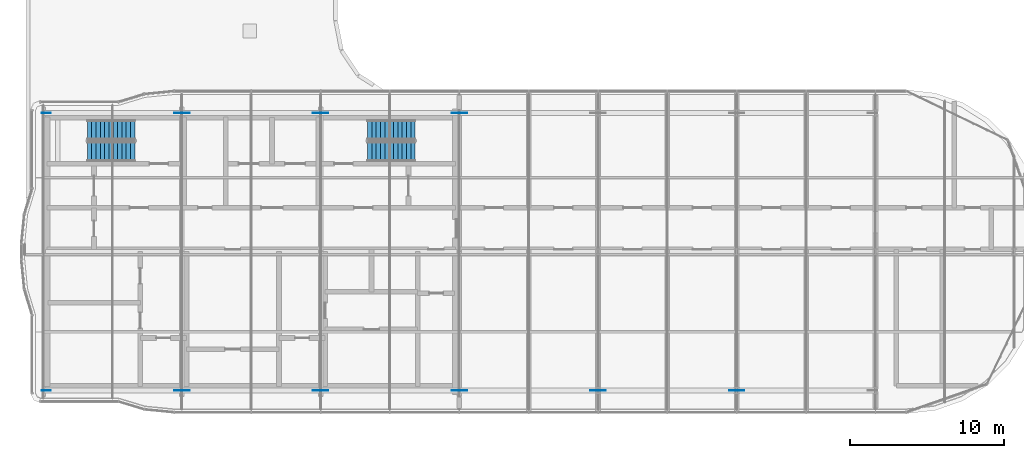
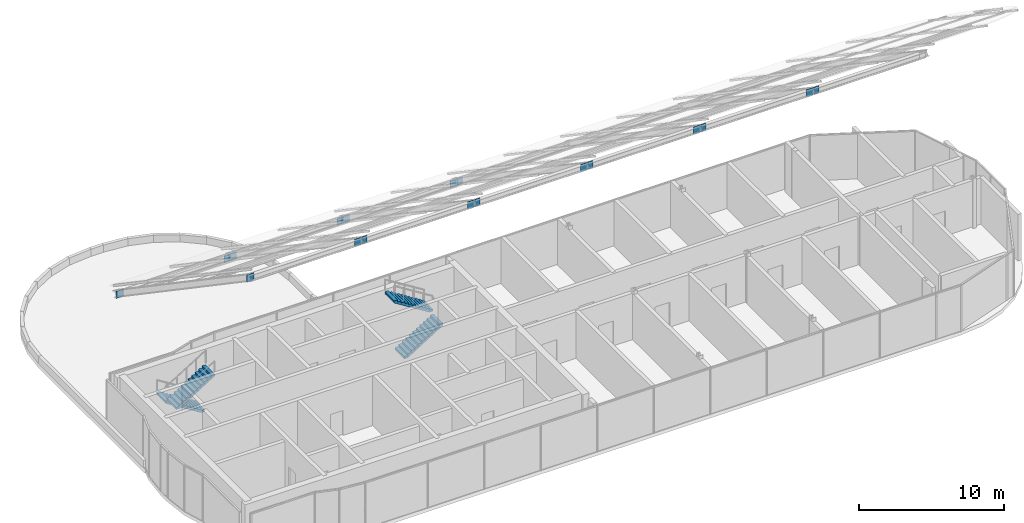
# One storey, part 23 of 25: 18 discrete accessories, 4 stair flights, 2 elements without a shape of their own.
"""IFC4 building model written with IfcOpenShell, lengths in metres."""

from ifc_helpers import new_model, si_unit, direction, frame, origin, origin_2d, place, context, subcontext, project, spatial, rectangle, extrude, triangles, source, transform, mapped, material, layer, layer_set, type_object, element, aggregate, save


model = new_model("IFC4")

# Units and contexts
model_context = context("Model", 3, precision=1e-05, world=origin(), true_north=direction((0.0, 1.0)))
body_context = subcontext(model_context, "Body", "Model", "MODEL_VIEW")
ifc_project = project(units=[si_unit("LENGTHUNIT", "METRE"), si_unit("AREAUNIT", "SQUARE_METRE"), si_unit("VOLUMEUNIT", "CUBIC_METRE"), si_unit("PLANEANGLEUNIT", "RADIAN"), si_unit("MASSUNIT", "GRAM", prefix="KILO")], contexts=[model_context])

# Site, building, storey
site_placement = place(None, origin())
site = spatial("IfcSite", under=ifc_project, at=site_placement, CompositionType="ELEMENT")
building_placement = place(site_placement, origin())
building = spatial("IfcBuilding", under=site, at=building_placement, Name="Ogive Portal Towers", CompositionType="ELEMENT")
storey_placement = place(building_placement, frame((0.0, 0.0, 272.89990234375)))
storey = spatial("IfcBuildingStorey", under=building, at=storey_placement, Name="L66", CompositionType="ELEMENT", Elevation=272.89990234375)

# Stair, stair flights
ifc_material_1 = material(Name="Concrete C40/50", Category="concrete")
stair_type = type_object("IfcStairType", Name="INT-STAIR", PredefinedType="HALF_TURN_STAIR", material=ifc_material_1)
stair_1_placement = place(storey_placement, origin())
stair_1 = element("IfcStair", 1, at=stair_1_placement, inside=storey, type_object=stair_type, Name="L66 Exit Stair ST-A1", PredefinedType="HALF_TURN_STAIR")
stair_flight_type = type_object("IfcStairFlightType", Name="INT-FLIGHT", PredefinedType="STRAIGHT", material=ifc_material_1)
shared_shape = source(origin(), body_context, "Body", "Tessellation", [
    triangles([(0.0, -0.650146484375, 0.0), (0.0, -0.376220703125, 0.0), (0.0, -0.192626953125, 0.0), (0.0, -0.081298828125, 0.0), (0.0, -0.024169921875, 0.0), (0.0, -0.003173828125, 0.0), (0.0, 0.0, 0.0), (0.0, 0.0029296875, 0.0), (0.0, 0.02392578125, 0.0), (0.0, 0.0810546875, 0.0), (0.0, 0.1923828125, 0.0), (0.0, 0.3759765625, 0.0), (0.0, 0.64990234375, 0.0), (0.0, -0.650146484375, 0.175048828125), (0.0, -0.376220703125, 0.175048828125), (0.0, -0.192626953125, 0.175048828125), (0.0, -0.081298828125, 0.175048828125), (0.0, -0.024169921875, 0.175048828125), (0.0, -0.003173828125, 0.175048828125), (0.0, 0.0, 0.175048828125), (0.0, 0.0029296875, 0.175048828125), (0.0, 0.02392578125, 0.175048828125), (0.0, 0.0810546875, 0.175048828125), (0.0, 0.1923828125, 0.175048828125), (0.0, 0.3759765625, 0.175048828125), (0.0, 0.64990234375, 0.175048828125), (0.280029296875, -0.650146484375, 0.175048828125), (0.280029296875, -0.376220703125, 0.175048828125), (0.280029296875, -0.192626953125, 0.175048828125), (0.280029296875, -0.081298828125, 0.175048828125), (0.280029296875, -0.024169921875, 0.175048828125), (0.280029296875, -0.003173828125, 0.175048828125), (0.280029296875, 0.0, 0.175048828125), (0.280029296875, 0.0029296875, 0.175048828125), (0.280029296875, 0.02392578125, 0.175048828125), (0.280029296875, 0.0810546875, 0.175048828125), (0.280029296875, 0.1923828125, 0.175048828125), (0.280029296875, 0.3759765625, 0.175048828125), (0.280029296875, 0.64990234375, 0.175048828125), (0.280029296875, -0.650146484375, 0.35009765625), (0.280029296875, -0.376220703125, 0.35009765625), (0.280029296875, -0.192626953125, 0.35009765625), (0.280029296875, -0.081298828125, 0.35009765625), (0.280029296875, -0.024169921875, 0.35009765625), (0.280029296875, -0.003173828125, 0.35009765625), (0.280029296875, 0.0, 0.35009765625), (0.280029296875, 0.0029296875, 0.35009765625), (0.280029296875, 0.02392578125, 0.35009765625), (0.280029296875, 0.0810546875, 0.35009765625), (0.280029296875, 0.1923828125, 0.35009765625), (0.280029296875, 0.3759765625, 0.35009765625), (0.280029296875, 0.64990234375, 0.35009765625), (0.56005859375, -0.650146484375, 0.35009765625), (0.56005859375, -0.376220703125, 0.35009765625), (0.56005859375, -0.192626953125, 0.35009765625), (0.56005859375, -0.081298828125, 0.35009765625), (0.56005859375, -0.024169921875, 0.35009765625), (0.56005859375, -0.003173828125, 0.35009765625), (0.56005859375, 0.0, 0.35009765625), (0.56005859375, 0.0029296875, 0.35009765625), (0.56005859375, 0.02392578125, 0.35009765625), (0.56005859375, 0.0810546875, 0.35009765625), (0.56005859375, 0.1923828125, 0.35009765625), (0.56005859375, 0.3759765625, 0.35009765625), (0.56005859375, 0.64990234375, 0.35009765625), (0.56005859375, -0.650146484375, 0.52490234375), (0.56005859375, -0.376220703125, 0.52490234375), (0.56005859375, -0.192626953125, 0.52490234375), (0.56005859375, -0.081298828125, 0.52490234375), (0.56005859375, -0.024169921875, 0.52490234375), (0.56005859375, -0.003173828125, 0.52490234375), (0.56005859375, 0.0, 0.52490234375), (0.56005859375, 0.0029296875, 0.52490234375), (0.56005859375, 0.02392578125, 0.52490234375), (0.56005859375, 0.0810546875, 0.52490234375), (0.56005859375, 0.1923828125, 0.52490234375), (0.56005859375, 0.3759765625, 0.52490234375), (0.56005859375, 0.64990234375, 0.52490234375), (0.840087890625, -0.650146484375, 0.52490234375), (0.840087890625, -0.376220703125, 0.52490234375), (0.840087890625, -0.192626953125, 0.52490234375), (0.840087890625, -0.081298828125, 0.52490234375), (0.840087890625, -0.024169921875, 0.52490234375), (0.840087890625, -0.003173828125, 0.52490234375), (0.840087890625, 0.0, 0.52490234375), (0.840087890625, 0.0029296875, 0.52490234375), (0.840087890625, 0.02392578125, 0.52490234375), (0.840087890625, 0.0810546875, 0.52490234375), (0.840087890625, 0.1923828125, 0.52490234375), (0.840087890625, 0.3759765625, 0.52490234375), (0.840087890625, 0.64990234375, 0.52490234375), (0.840087890625, -0.650146484375, 0.699951171875), (0.840087890625, -0.376220703125, 0.699951171875), (0.840087890625, -0.192626953125, 0.699951171875), (0.840087890625, -0.081298828125, 0.699951171875), (0.840087890625, -0.024169921875, 0.699951171875), (0.840087890625, -0.003173828125, 0.699951171875), (0.840087890625, 0.0, 0.699951171875), (0.840087890625, 0.0029296875, 0.699951171875), (0.840087890625, 0.02392578125, 0.699951171875), (0.840087890625, 0.0810546875, 0.699951171875), (0.840087890625, 0.1923828125, 0.699951171875), (0.840087890625, 0.3759765625, 0.699951171875), (0.840087890625, 0.64990234375, 0.699951171875), (1.1201171875, -0.650146484375, 0.699951171875), (1.1201171875, -0.376220703125, 0.699951171875), (1.1201171875, -0.192626953125, 0.699951171875), (1.1201171875, -0.081298828125, 0.699951171875), (1.1201171875, -0.024169921875, 0.699951171875), (1.1201171875, -0.003173828125, 0.699951171875), (1.1201171875, 0.0, 0.699951171875), (1.1201171875, 0.0029296875, 0.699951171875), (1.1201171875, 0.02392578125, 0.699951171875), (1.1201171875, 0.0810546875, 0.699951171875), (1.1201171875, 0.1923828125, 0.699951171875), (1.1201171875, 0.3759765625, 0.699951171875), (1.1201171875, 0.64990234375, 0.699951171875), (1.1201171875, -0.650146484375, 0.875), (1.1201171875, -0.376220703125, 0.875), (1.1201171875, -0.192626953125, 0.875), (1.1201171875, -0.081298828125, 0.875), (1.1201171875, -0.024169921875, 0.875), (1.1201171875, -0.003173828125, 0.875), (1.1201171875, 0.0, 0.875), (1.1201171875, 0.0029296875, 0.875), (1.1201171875, 0.02392578125, 0.875), (1.1201171875, 0.0810546875, 0.875), (1.1201171875, 0.1923828125, 0.875), (1.1201171875, 0.3759765625, 0.875), (1.1201171875, 0.64990234375, 0.875), (1.39990234375, -0.650146484375, 0.875), (1.39990234375, -0.376220703125, 0.875), (1.39990234375, -0.192626953125, 0.875), (1.39990234375, -0.081298828125, 0.875), (1.39990234375, -0.024169921875, 0.875), (1.39990234375, -0.003173828125, 0.875), (1.39990234375, 0.0, 0.875), (1.39990234375, 0.0029296875, 0.875), (1.39990234375, 0.02392578125, 0.875), (1.39990234375, 0.0810546875, 0.875), (1.39990234375, 0.1923828125, 0.875), (1.39990234375, 0.3759765625, 0.875), (1.39990234375, 0.64990234375, 0.875), (1.39990234375, -0.650146484375, 1.050048828125), (1.39990234375, -0.376220703125, 1.050048828125), (1.39990234375, -0.192626953125, 1.050048828125), (1.39990234375, -0.081298828125, 1.050048828125), (1.39990234375, -0.024169921875, 1.050048828125), (1.39990234375, -0.003173828125, 1.050048828125), (1.39990234375, 0.0, 1.050048828125), (1.39990234375, 0.0029296875, 1.050048828125), (1.39990234375, 0.02392578125, 1.050048828125), (1.39990234375, 0.0810546875, 1.050048828125), (1.39990234375, 0.1923828125, 1.050048828125), (1.39990234375, 0.3759765625, 1.050048828125), (1.39990234375, 0.64990234375, 1.050048828125), (1.679931640625, -0.650146484375, 1.050048828125), (1.679931640625, -0.376220703125, 1.050048828125), (1.679931640625, -0.192626953125, 1.050048828125), (1.679931640625, -0.081298828125, 1.050048828125), (1.679931640625, -0.024169921875, 1.050048828125), (1.679931640625, -0.003173828125, 1.050048828125), (1.679931640625, 0.0, 1.050048828125), (1.679931640625, 0.0029296875, 1.050048828125), (1.679931640625, 0.02392578125, 1.050048828125), (1.679931640625, 0.0810546875, 1.050048828125), (1.679931640625, 0.1923828125, 1.050048828125), (1.679931640625, 0.3759765625, 1.050048828125), (1.679931640625, 0.64990234375, 1.050048828125), (1.679931640625, -0.650146484375, 1.22509765625), (1.679931640625, -0.376220703125, 1.22509765625), (1.679931640625, -0.192626953125, 1.22509765625), (1.679931640625, -0.081298828125, 1.22509765625), (1.679931640625, -0.024169921875, 1.22509765625), (1.679931640625, -0.003173828125, 1.22509765625), (1.679931640625, 0.0, 1.22509765625), (1.679931640625, 0.0029296875, 1.22509765625), (1.679931640625, 0.02392578125, 1.22509765625), (1.679931640625, 0.0810546875, 1.22509765625), (1.679931640625, 0.1923828125, 1.22509765625), (1.679931640625, 0.3759765625, 1.22509765625), (1.679931640625, 0.64990234375, 1.22509765625), (1.9599609375, -0.650146484375, 1.22509765625), (1.9599609375, -0.376220703125, 1.22509765625), (1.9599609375, -0.192626953125, 1.22509765625), (1.9599609375, -0.081298828125, 1.22509765625), (1.9599609375, -0.024169921875, 1.22509765625), (1.9599609375, -0.003173828125, 1.22509765625), (1.9599609375, 0.0, 1.22509765625), (1.9599609375, 0.0029296875, 1.22509765625), (1.9599609375, 0.02392578125, 1.22509765625), (1.9599609375, 0.0810546875, 1.22509765625), (1.9599609375, 0.1923828125, 1.22509765625), (1.9599609375, 0.3759765625, 1.22509765625), (1.9599609375, 0.64990234375, 1.22509765625), (1.9599609375, -0.650146484375, 1.39990234375), (1.9599609375, -0.376220703125, 1.39990234375), (1.9599609375, -0.192626953125, 1.39990234375), (1.9599609375, -0.081298828125, 1.39990234375), (1.9599609375, -0.024169921875, 1.39990234375), (1.9599609375, -0.003173828125, 1.39990234375), (1.9599609375, 0.0, 1.39990234375), (1.9599609375, 0.0029296875, 1.39990234375), (1.9599609375, 0.02392578125, 1.39990234375), (1.9599609375, 0.0810546875, 1.39990234375), (1.9599609375, 0.1923828125, 1.39990234375), (1.9599609375, 0.3759765625, 1.39990234375), (1.9599609375, 0.64990234375, 1.39990234375), (2.239990234375, -0.650146484375, 1.39990234375), (2.239990234375, -0.376220703125, 1.39990234375), (2.239990234375, -0.192626953125, 1.39990234375), (2.239990234375, -0.081298828125, 1.39990234375), (2.239990234375, -0.024169921875, 1.39990234375), (2.239990234375, -0.003173828125, 1.39990234375), (2.239990234375, 0.0, 1.39990234375), (2.239990234375, 0.0029296875, 1.39990234375), (2.239990234375, 0.02392578125, 1.39990234375), (2.239990234375, 0.0810546875, 1.39990234375), (2.239990234375, 0.1923828125, 1.39990234375), (2.239990234375, 0.3759765625, 1.39990234375), (2.239990234375, 0.64990234375, 1.39990234375), (2.239990234375, -0.650146484375, 1.574951171875), (2.239990234375, -0.376220703125, 1.574951171875), (2.239990234375, -0.192626953125, 1.574951171875), (2.239990234375, -0.081298828125, 1.574951171875), (2.239990234375, -0.024169921875, 1.574951171875), (2.239990234375, -0.003173828125, 1.574951171875), (2.239990234375, 0.0, 1.574951171875), (2.239990234375, 0.0029296875, 1.574951171875), (2.239990234375, 0.02392578125, 1.574951171875), (2.239990234375, 0.0810546875, 1.574951171875), (2.239990234375, 0.1923828125, 1.574951171875), (2.239990234375, 0.3759765625, 1.574951171875), (2.239990234375, 0.64990234375, 1.574951171875), (2.52001953125, -0.650146484375, 1.574951171875), (2.52001953125, -0.376220703125, 1.574951171875), (2.52001953125, -0.192626953125, 1.574951171875), (2.52001953125, -0.081298828125, 1.574951171875), (2.52001953125, -0.024169921875, 1.574951171875), (2.52001953125, -0.003173828125, 1.574951171875), (2.52001953125, 0.0, 1.574951171875), (2.52001953125, 0.0029296875, 1.574951171875), (2.52001953125, 0.02392578125, 1.574951171875), (2.52001953125, 0.0810546875, 1.574951171875), (2.52001953125, 0.1923828125, 1.574951171875), (2.52001953125, 0.3759765625, 1.574951171875), (2.52001953125, 0.64990234375, 1.574951171875), (2.52001953125, -0.650146484375, 1.75), (2.52001953125, -0.376220703125, 1.75), (2.52001953125, -0.192626953125, 1.75), (2.52001953125, -0.081298828125, 1.75), (2.52001953125, -0.024169921875, 1.75), (2.52001953125, -0.003173828125, 1.75), (2.52001953125, 0.0, 1.75), (2.52001953125, 0.0029296875, 1.75), (2.52001953125, 0.02392578125, 1.75), (2.52001953125, 0.0810546875, 1.75), (2.52001953125, 0.1923828125, 1.75), (2.52001953125, 0.3759765625, 1.75), (2.52001953125, 0.64990234375, 1.75), (2.800048828125, -0.650146484375, 1.75), (2.800048828125, -0.376220703125, 1.75), (2.800048828125, -0.192626953125, 1.75), (2.800048828125, -0.081298828125, 1.75), (2.800048828125, -0.024169921875, 1.75), (2.800048828125, -0.003173828125, 1.75), (2.800048828125, 0.0, 1.75), (2.800048828125, 0.0029296875, 1.75), (2.800048828125, 0.02392578125, 1.75), (2.800048828125, 0.0810546875, 1.75), (2.800048828125, 0.1923828125, 1.75), (2.800048828125, 0.3759765625, 1.75), (2.800048828125, 0.64990234375, 1.75), (2.800048828125, -0.650146484375, 1.925048828125), (2.800048828125, -0.376220703125, 1.925048828125), (2.800048828125, -0.192626953125, 1.925048828125), (2.800048828125, -0.081298828125, 1.925048828125), (2.800048828125, -0.024169921875, 1.925048828125), (2.800048828125, -0.003173828125, 1.925048828125), (2.800048828125, 0.0, 1.925048828125), (2.800048828125, 0.0029296875, 1.925048828125), (2.800048828125, 0.02392578125, 1.925048828125), (2.800048828125, 0.0810546875, 1.925048828125), (2.800048828125, 0.1923828125, 1.925048828125), (2.800048828125, 0.3759765625, 1.925048828125), (2.800048828125, 0.64990234375, 1.925048828125), (3.080078125, -0.650146484375, 1.925048828125), (3.080078125, -0.376220703125, 1.925048828125), (3.080078125, -0.192626953125, 1.925048828125), (3.080078125, -0.081298828125, 1.925048828125), (3.080078125, -0.024169921875, 1.925048828125), (3.080078125, -0.003173828125, 1.925048828125), (3.080078125, 0.0, 1.925048828125), (3.080078125, 0.0029296875, 1.925048828125), (3.080078125, 0.02392578125, 1.925048828125), (3.080078125, 0.0810546875, 1.925048828125), (3.080078125, 0.1923828125, 1.925048828125), (3.080078125, 0.3759765625, 1.925048828125), (3.080078125, 0.64990234375, 1.925048828125), (3.080078125, -0.650146484375, 1.748291015625), (3.080078125, -0.376220703125, 1.748291015625), (3.080078125, -0.192626953125, 1.748291015625), (3.080078125, -0.081298828125, 1.748291015625), (3.080078125, -0.024169921875, 1.748291015625), (3.080078125, -0.003173828125, 1.748291015625), (3.080078125, 0.0, 1.748291015625), (3.080078125, 0.0029296875, 1.748291015625), (3.080078125, 0.02392578125, 1.748291015625), (3.080078125, 0.0810546875, 1.748291015625), (3.080078125, 0.1923828125, 1.748291015625), (3.080078125, 0.3759765625, 1.748291015625), (3.080078125, 0.64990234375, 1.748291015625), (0.28271484375, -0.650146484375, 0.0), (0.28271484375, -0.376220703125, 0.0), (0.28271484375, -0.192626953125, 0.0), (0.28271484375, -0.081298828125, 0.0), (0.28271484375, -0.024169921875, 0.0), (0.28271484375, -0.003173828125, 0.0), (0.28271484375, 0.0, 0.0), (0.28271484375, 0.0029296875, 0.0), (0.28271484375, 0.02392578125, 0.0), (0.28271484375, 0.0810546875, 0.0), (0.28271484375, 0.1923828125, 0.0), (0.28271484375, 0.3759765625, 0.0), (0.28271484375, 0.64990234375, 0.0)], [[1, 14, 15], [1, 15, 2], [2, 15, 16], [2, 16, 3], [3, 16, 17], [3, 17, 4], [4, 17, 18], [4, 18, 5], [5, 18, 19], [5, 19, 6], [6, 19, 20], [6, 20, 7], [7, 20, 21], [7, 21, 8], [8, 21, 22], [8, 22, 9], [9, 22, 23], [9, 23, 10], [10, 23, 24], [10, 24, 11], [11, 24, 25], [11, 25, 12], [12, 25, 26], [12, 26, 13], [14, 27, 28], [14, 28, 15], [15, 28, 29], [15, 29, 16], [16, 29, 30], [16, 30, 17], [17, 30, 31], [17, 31, 18], [18, 31, 32], [18, 32, 19], [19, 32, 33], [19, 33, 20], [20, 33, 34], [20, 34, 21], [21, 34, 35], [21, 35, 22], [22, 35, 36], [22, 36, 23], [23, 36, 37], [23, 37, 24], [24, 37, 38], [24, 38, 25], [25, 38, 39], [25, 39, 26], [27, 40, 41], [27, 41, 28], [28, 41, 42], [28, 42, 29], [29, 42, 43], [29, 43, 30], [30, 43, 44], [30, 44, 31], [31, 44, 45], [31, 45, 32], [32, 45, 46], [32, 46, 33], [33, 46, 47], [33, 47, 34], [34, 47, 48], [34, 48, 35], [35, 48, 49], [35, 49, 36], [36, 49, 50], [36, 50, 37], [37, 50, 51], [37, 51, 38], [38, 51, 52], [38, 52, 39], [40, 53, 54], [40, 54, 41], [41, 54, 55], [41, 55, 42], [42, 55, 56], [42, 56, 43], [43, 56, 57], [43, 57, 44], [44, 57, 58], [44, 58, 45], [45, 58, 59], [45, 59, 46], [46, 59, 60], [46, 60, 47], [47, 60, 61], [47, 61, 48], [48, 61, 62], [48, 62, 49], [49, 62, 63], [49, 63, 50], [50, 63, 64], [50, 64, 51], [51, 64, 65], [51, 65, 52], [53, 66, 67], [53, 67, 54], [54, 67, 68], [54, 68, 55], [55, 68, 69], [55, 69, 56], [56, 69, 70], [56, 70, 57], [57, 70, 71], [57, 71, 58], [58, 71, 72], [58, 72, 59], [59, 72, 73], [59, 73, 60], [60, 73, 74], [60, 74, 61], [61, 74, 75], [61, 75, 62], [62, 75, 76], [62, 76, 63], [63, 76, 77], [63, 77, 64], [64, 77, 78], [64, 78, 65], [66, 79, 80], [66, 80, 67], [67, 80, 81], [67, 81, 68], [68, 81, 82], [68, 82, 69], [69, 82, 83], [69, 83, 70], [70, 83, 84], [70, 84, 71], [71, 84, 85], [71, 85, 72], [72, 85, 86], [72, 86, 73], [73, 86, 87], [73, 87, 74], [74, 87, 88], [74, 88, 75], [75, 88, 89], [75, 89, 76], [76, 89, 90], [76, 90, 77], [77, 90, 91], [77, 91, 78], [79, 92, 93], [79, 93, 80], [80, 93, 94], [80, 94, 81], [81, 94, 95], [81, 95, 82], [82, 95, 96], [82, 96, 83], [83, 96, 97], [83, 97, 84], [84, 97, 98], [84, 98, 85], [85, 98, 99], [85, 99, 86], [86, 99, 100], [86, 100, 87], [87, 100, 101], [87, 101, 88], [88, 101, 102], [88, 102, 89], [89, 102, 103], [89, 103, 90], [90, 103, 104], [90, 104, 91], [92, 105, 106], [92, 106, 93], [93, 106, 107], [93, 107, 94], [94, 107, 108], [94, 108, 95], [95, 108, 109], [95, 109, 96], [96, 109, 110], [96, 110, 97], [97, 110, 111], [97, 111, 98], [98, 111, 112], [98, 112, 99], [99, 112, 113], [99, 113, 100], [100, 113, 114], [100, 114, 101], [101, 114, 115], [101, 115, 102], [102, 115, 116], [102, 116, 103], [103, 116, 117], [103, 117, 104], [105, 118, 119], [105, 119, 106], [106, 119, 120], [106, 120, 107], [107, 120, 121], [107, 121, 108], [108, 121, 122], [108, 122, 109], [109, 122, 123], [109, 123, 110], [110, 123, 124], [110, 124, 111], [111, 124, 125], [111, 125, 112], [112, 125, 126], [112, 126, 113], [113, 126, 127], [113, 127, 114], [114, 127, 128], [114, 128, 115], [115, 128, 129], [115, 129, 116], [116, 129, 130], [116, 130, 117], [118, 131, 132], [118, 132, 119], [119, 132, 133], [119, 133, 120], [120, 133, 134], [120, 134, 121], [121, 134, 135], [121, 135, 122], [122, 135, 136], [122, 136, 123], [123, 136, 137], [123, 137, 124], [124, 137, 138], [124, 138, 125], [125, 138, 139], [125, 139, 126], [126, 139, 140], [126, 140, 127], [127, 140, 141], [127, 141, 128], [128, 141, 142], [128, 142, 129], [129, 142, 143], [129, 143, 130], [131, 144, 145], [131, 145, 132], [132, 145, 146], [132, 146, 133], [133, 146, 147], [133, 147, 134], [134, 147, 148], [134, 148, 135], [135, 148, 149], [135, 149, 136], [136, 149, 150], [136, 150, 137], [137, 150, 151], [137, 151, 138], [138, 151, 152], [138, 152, 139], [139, 152, 153], [139, 153, 140], [140, 153, 154], [140, 154, 141], [141, 154, 155], [141, 155, 142], [142, 155, 156], [142, 156, 143], [144, 157, 158], [144, 158, 145], [145, 158, 159], [145, 159, 146], [146, 159, 160], [146, 160, 147], [147, 160, 161], [147, 161, 148], [148, 161, 162], [148, 162, 149], [149, 162, 163], [149, 163, 150], [150, 163, 164], [150, 164, 151], [151, 164, 165], [151, 165, 152], [152, 165, 166], [152, 166, 153], [153, 166, 167], [153, 167, 154], [154, 167, 168], [154, 168, 155], [155, 168, 169], [155, 169, 156], [157, 170, 171], [157, 171, 158], [158, 171, 172], [158, 172, 159], [159, 172, 173], [159, 173, 160], [160, 173, 174], [160, 174, 161], [161, 174, 175], [161, 175, 162], [162, 175, 176], [162, 176, 163], [163, 176, 177], [163, 177, 164], [164, 177, 178], [164, 178, 165], [165, 178, 179], [165, 179, 166], [166, 179, 180], [166, 180, 167], [167, 180, 181], [167, 181, 168], [168, 181, 182], [168, 182, 169], [170, 183, 184], [170, 184, 171], [171, 184, 185], [171, 185, 172], [172, 185, 186], [172, 186, 173], [173, 186, 187], [173, 187, 174], [174, 187, 188], [174, 188, 175], [175, 188, 189], [175, 189, 176], [176, 189, 190], [176, 190, 177], [177, 190, 191], [177, 191, 178], [178, 191, 192], [178, 192, 179], [179, 192, 193], [179, 193, 180], [180, 193, 194], [180, 194, 181], [181, 194, 195], [181, 195, 182], [183, 196, 197], [183, 197, 184], [184, 197, 198], [184, 198, 185], [185, 198, 199], [185, 199, 186], [186, 199, 200], [186, 200, 187], [187, 200, 201], [187, 201, 188], [188, 201, 202], [188, 202, 189], [189, 202, 203], [189, 203, 190], [190, 203, 204], [190, 204, 191], [191, 204, 205], [191, 205, 192], [192, 205, 206], [192, 206, 193], [193, 206, 207], [193, 207, 194], [194, 207, 208], [194, 208, 195], [196, 209, 210], [196, 210, 197], [197, 210, 211], [197, 211, 198], [198, 211, 212], [198, 212, 199], [199, 212, 213], [199, 213, 200], [200, 213, 214], [200, 214, 201], [201, 214, 215], [201, 215, 202], [202, 215, 216], [202, 216, 203], [203, 216, 217], [203, 217, 204], [204, 217, 218], [204, 218, 205], [205, 218, 219], [205, 219, 206], [206, 219, 220], [206, 220, 207], [207, 220, 221], [207, 221, 208], [209, 222, 223], [209, 223, 210], [210, 223, 224], [210, 224, 211], [211, 224, 225], [211, 225, 212], [212, 225, 226], [212, 226, 213], [213, 226, 227], [213, 227, 214], [214, 227, 228], [214, 228, 215], [215, 228, 229], [215, 229, 216], [216, 229, 230], [216, 230, 217], [217, 230, 231], [217, 231, 218], [218, 231, 232], [218, 232, 219], [219, 232, 233], [219, 233, 220], [220, 233, 234], [220, 234, 221], [222, 235, 236], [222, 236, 223], [223, 236, 237], [223, 237, 224], [224, 237, 238], [224, 238, 225], [225, 238, 239], [225, 239, 226], [226, 239, 240], [226, 240, 227], [227, 240, 241], [227, 241, 228], [228, 241, 242], [228, 242, 229], [229, 242, 243], [229, 243, 230], [230, 243, 244], [230, 244, 231], [231, 244, 245], [231, 245, 232], [232, 245, 246], [232, 246, 233], [233, 246, 247], [233, 247, 234], [235, 248, 249], [235, 249, 236], [236, 249, 250], [236, 250, 237], [237, 250, 251], [237, 251, 238], [238, 251, 252], [238, 252, 239], [239, 252, 253], [239, 253, 240], [240, 253, 254], [240, 254, 241], [241, 254, 255], [241, 255, 242], [242, 255, 256], [242, 256, 243], [243, 256, 257], [243, 257, 244], [244, 257, 258], [244, 258, 245], [245, 258, 259], [245, 259, 246], [246, 259, 260], [246, 260, 247], [248, 261, 262], [248, 262, 249], [249, 262, 263], [249, 263, 250], [250, 263, 264], [250, 264, 251], [251, 264, 265], [251, 265, 252], [252, 265, 266], [252, 266, 253], [253, 266, 267], [253, 267, 254], [254, 267, 268], [254, 268, 255], [255, 268, 269], [255, 269, 256], [256, 269, 270], [256, 270, 257], [257, 270, 271], [257, 271, 258], [258, 271, 272], [258, 272, 259], [259, 272, 273], [259, 273, 260], [261, 274, 275], [261, 275, 262], [262, 275, 276], [262, 276, 263], [263, 276, 277], [263, 277, 264], [264, 277, 278], [264, 278, 265], [265, 278, 279], [265, 279, 266], [266, 279, 280], [266, 280, 267], [267, 280, 281], [267, 281, 268], [268, 281, 282], [268, 282, 269], [269, 282, 283], [269, 283, 270], [270, 283, 284], [270, 284, 271], [271, 284, 285], [271, 285, 272], [272, 285, 286], [272, 286, 273], [274, 287, 288], [274, 288, 275], [275, 288, 289], [275, 289, 276], [276, 289, 290], [276, 290, 277], [277, 290, 291], [277, 291, 278], [278, 291, 292], [278, 292, 279], [279, 292, 293], [279, 293, 280], [280, 293, 294], [280, 294, 281], [281, 294, 295], [281, 295, 282], [282, 295, 296], [282, 296, 283], [283, 296, 297], [283, 297, 284], [284, 297, 298], [284, 298, 285], [285, 298, 299], [285, 299, 286], [287, 300, 301], [287, 301, 288], [288, 301, 302], [288, 302, 289], [289, 302, 303], [289, 303, 290], [290, 303, 304], [290, 304, 291], [291, 304, 305], [291, 305, 292], [292, 305, 306], [292, 306, 293], [293, 306, 307], [293, 307, 294], [294, 307, 308], [294, 308, 295], [295, 308, 309], [295, 309, 296], [296, 309, 310], [296, 310, 297], [297, 310, 311], [297, 311, 298], [298, 311, 312], [298, 312, 299], [300, 313, 314], [300, 314, 301], [301, 314, 315], [301, 315, 302], [302, 315, 316], [302, 316, 303], [303, 316, 317], [303, 317, 304], [304, 317, 318], [304, 318, 305], [305, 318, 319], [305, 319, 306], [306, 319, 320], [306, 320, 307], [307, 320, 321], [307, 321, 308], [308, 321, 322], [308, 322, 309], [309, 322, 323], [309, 323, 310], [310, 323, 324], [310, 324, 311], [311, 324, 325], [311, 325, 312], [313, 1, 2], [313, 2, 314], [314, 2, 3], [314, 3, 315], [315, 3, 4], [315, 4, 316], [316, 4, 5], [316, 5, 317], [317, 5, 6], [317, 6, 318], [318, 6, 7], [318, 7, 319], [319, 7, 8], [319, 8, 320], [320, 8, 9], [320, 9, 321], [321, 9, 10], [321, 10, 322], [322, 10, 11], [322, 11, 323], [323, 11, 12], [323, 12, 324], [324, 12, 13], [324, 13, 325], [1, 313, 300], [13, 312, 325], [300, 287, 274], [312, 286, 299], [300, 274, 261], [312, 273, 286], [300, 261, 248], [312, 260, 273], [300, 248, 235], [312, 247, 260], [235, 222, 209], [247, 221, 234], [300, 235, 209], [312, 221, 247], [209, 196, 183], [221, 195, 208], [300, 209, 183], [312, 195, 221], [183, 170, 157], [195, 169, 182], [300, 183, 157], [312, 169, 195], [157, 144, 131], [169, 143, 156], [300, 157, 131], [312, 143, 169], [131, 118, 105], [143, 117, 130], [300, 131, 105], [312, 117, 143], [105, 92, 79], [117, 91, 104], [300, 105, 79], [312, 91, 117], [1, 300, 79], [13, 91, 312], [79, 66, 53], [91, 65, 78], [53, 40, 27], [65, 39, 52], [79, 53, 27], [91, 39, 65], [1, 79, 27], [13, 39, 91], [27, 14, 1], [39, 13, 26]], closed=True),
])
stair_flight_1_placement = place(storey_placement, frame((37.449951171875, 38.39990234375, 0.0), z_axis=(0.0, 0.0, 1.0), x_axis=(-1.0, 0.0, 0.0)))
stair_flight_1 = element("IfcStairFlight", 2, at=stair_flight_1_placement, type_object=stair_flight_type, Name="ST-A1 flight 1", NumberOfRisers=12, NumberOfTreads=11, PredefinedType="STRAIGHT", RiserHeight=0.175, TreadLength=0.28, context=body_context, shape_type="MappedRepresentation", body=[
    mapped(shared_shape, transform((0.0, 0.0, 0.0), scale=1.0)),
])
stair_flight_2_placement = place(storey_placement, frame((34.3701171875, 37.0, 2.10009765625), z_axis=(0.0, 0.0, 1.0), x_axis=(1.0, 0.0, 0.0)))
stair_flight_2 = element("IfcStairFlight", 3, at=stair_flight_2_placement, type_object=stair_flight_type, Name="ST-A1 flight 2", NumberOfRisers=12, NumberOfTreads=11, PredefinedType="STRAIGHT", RiserHeight=0.175, TreadLength=0.28, context=body_context, shape_type="MappedRepresentation", body=[
    mapped(shared_shape, transform((0.0, 0.0, 0.0), scale=1.0)),
])
aggregate(stair_1, [stair_flight_1, stair_flight_2])

stair_2_placement = place(storey_placement, origin())
stair_2 = element("IfcStair", 4, at=stair_2_placement, inside=storey, type_object=stair_type, Name="L66 Exit Stair ST-A2", PredefinedType="HALF_TURN_STAIR")
stair_flight_3_placement = place(storey_placement, frame((52.550048828125, 37.0, 0.0), z_axis=(0.0, 0.0, 1.0), x_axis=(1.0, 0.0, 0.0)))
stair_flight_3 = element("IfcStairFlight", 5, at=stair_flight_3_placement, type_object=stair_flight_type, Name="ST-A2 flight 1", NumberOfRisers=12, NumberOfTreads=11, PredefinedType="STRAIGHT", RiserHeight=0.175, TreadLength=0.28, context=body_context, shape_type="MappedRepresentation", body=[
    mapped(shared_shape, transform((0.0, 0.0, 0.0), scale=1.0)),
])
stair_flight_4_placement = place(storey_placement, frame((55.6298828125, 38.39990234375, 2.10009765625), z_axis=(0.0, 0.0, 1.0), x_axis=(-1.0, 0.0, 0.0)))
stair_flight_4 = element("IfcStairFlight", 6, at=stair_flight_4_placement, type_object=stair_flight_type, Name="ST-A2 flight 2", NumberOfRisers=12, NumberOfTreads=11, PredefinedType="STRAIGHT", RiserHeight=0.175, TreadLength=0.28, context=body_context, shape_type="MappedRepresentation", body=[
    mapped(shared_shape, transform((0.0, 0.0, 0.0), scale=1.0)),
])
aggregate(stair_2, [stair_flight_3, stair_flight_4])

# Discrete accessories
ifc_material_2 = material(Name="Steel S355", Category="steel")
ifc_layer = layer(ifc_material_2, 0.02001953125)
ifc_layer_set = layer_set([ifc_layer], Name="GUSSET PLATE 600x600x20")
discrete_accessory_type = type_object("IfcDiscreteAccessoryType", Name="GUSSET PLATE 600x600x20", PredefinedType="BRACKET", material=ifc_layer_set)
for number, where, z_axis, x_axis, name in (
    (7, (31.699951171875, 21.5, 22.875), (0.0, 0.0, 1.0), (1.0, 0.0, 0.0), "Gusset plate"),
    (8, (40.300048828125, 21.5, 22.875), (0.0, 0.0, 1.0), (1.0, 0.0, 0.0), "Gusset plate"),
    (9, (40.699951171875, 21.5, 22.875), (0.0, 0.0, 1.0), (1.0, 0.0, 0.0), "Gusset plate"),
    (10, (49.300048828125, 21.5, 22.875), (0.0, 0.0, 1.0), (1.0, 0.0, 0.0), "Gusset plate"),
    (11, (49.699951171875, 21.5, 22.875), (0.0, 0.0, 1.0), (1.0, 0.0, 0.0), "Gusset plate"),
    (12, (58.300048828125, 21.5, 22.875), (0.0, 0.0, 1.0), (1.0, 0.0, 0.0), "Gusset plate"),
    (13, (58.699951171875, 21.5, 22.875), (0.0, 0.0, 1.0), (1.0, 0.0, 0.0), "Gusset plate"),
    (14, (67.300048828125, 21.5, 22.875), (0.0, 0.0, 1.0), (1.0, 0.0, 0.0), "Gusset plate"),
    (15, (67.699951171875, 21.5, 22.875), (0.0, 0.0, 1.0), (1.0, 0.0, 0.0), "Gusset plate"),
    (16, (76.300048828125, 21.5, 22.875), (0.0, 0.0, 1.0), (1.0, 0.0, 0.0), "Gusset plate"),
    (17, (76.699951171875, 21.5, 22.875), (0.0, 0.0, 1.0), (1.0, 0.0, 0.0), "Gusset plate"),
    (18, (31.699951171875, 39.5, 10.5849609375), (0.0, 0.0, 1.0), (1.0, 0.0, 0.0), "Gusset plate"),
    (19, (40.300048828125, 39.5, 10.5849609375), (0.0, 0.0, 1.0), (1.0, 0.0, 0.0), "Gusset plate"),
    (20, (40.699951171875, 39.5, 10.5849609375), (0.0, 0.0, 1.0), (1.0, 0.0, 0.0), "Gusset plate"),
    (21, (49.300048828125, 39.5, 10.5849609375), (0.0, 0.0, 1.0), (1.0, 0.0, 0.0), "Gusset plate"),
    (22, (49.699951171875, 39.5, 10.5849609375), (0.0, 0.0, 1.0), (1.0, 0.0, 0.0), "Gusset plate"),
    (23, (58.300048828125, 39.5, 10.5849609375), (0.0, 0.0, 1.0), (1.0, 0.0, 0.0), "Gusset plate"),
    (24, (58.699951171875, 39.5, 10.5849609375), (0.0, 0.0, 1.0), (1.0, 0.0, 0.0), "Gusset plate"),
):
    element("IfcDiscreteAccessory", number, at=place(storey_placement, frame(where, z_axis=z_axis, x_axis=x_axis)), inside=storey, type_object=discrete_accessory_type, Name=name, PredefinedType="BRACKET", context=body_context, shape_type="SweptSolid", body=[
        extrude(rectangle(XDim=0.60009765625, YDim=0.02001953125, at=origin_2d()), origin(), (0.0, 0.0, 1.0), 0.60009765625),
    ])

save(model, "model.ifc")
